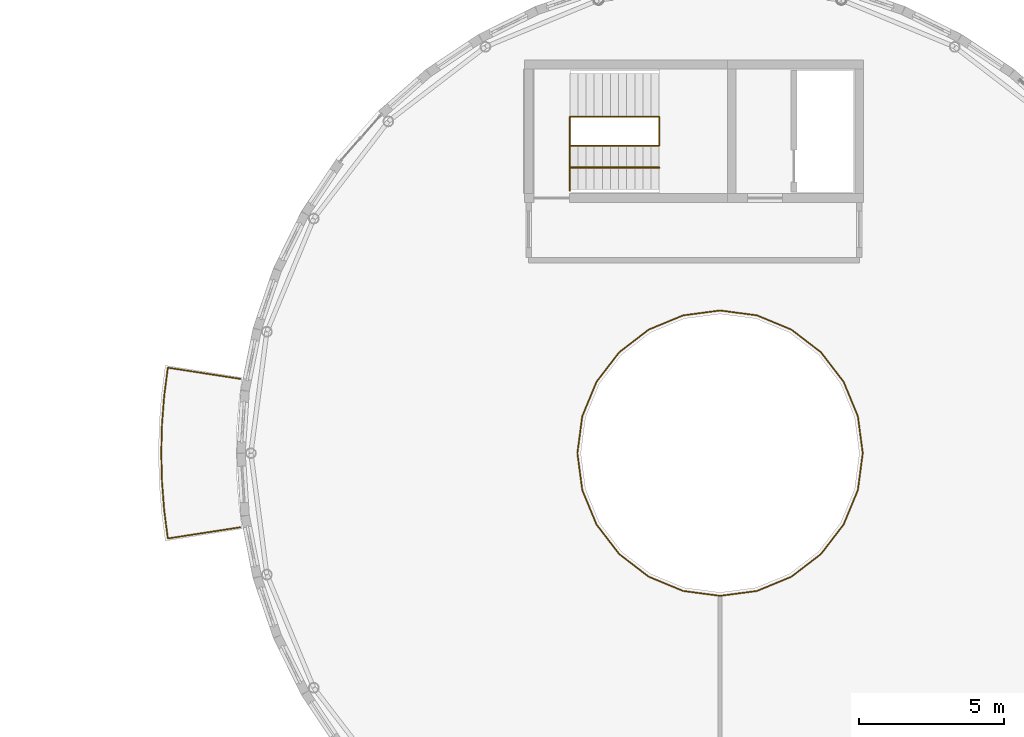
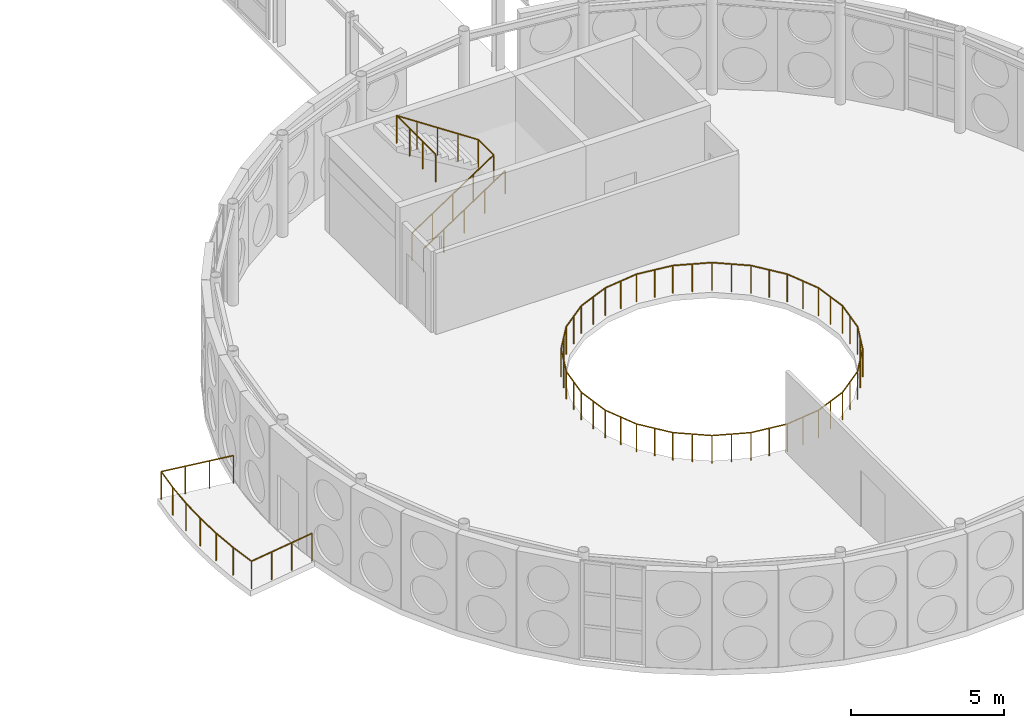
# One storey, part 155 of 165: 4 railings.
"""IFC4 building model written with IfcOpenShell, lengths in metres."""

from ifc_helpers import new_model, si_unit, direction, frame, origin, origin_2d, place, context, subcontext, project, spatial, circle, extrude, material, type_object, element, save


model = new_model("IFC4")

# Units and contexts
model_context = context("Model", 3, precision=1e-05, world=origin(), true_north=direction((0.0, 1.0)))
body_context = subcontext(model_context, "Body", "Model", "MODEL_VIEW")
ifc_project = project(units=[si_unit("LENGTHUNIT", "METRE"), si_unit("AREAUNIT", "SQUARE_METRE"), si_unit("VOLUMEUNIT", "CUBIC_METRE"), si_unit("PLANEANGLEUNIT", "RADIAN"), si_unit("MASSUNIT", "GRAM", prefix="KILO")], contexts=[model_context])

# Site, building, storey
site_placement = place(None, origin())
site = spatial("IfcSite", under=ifc_project, at=site_placement, CompositionType="ELEMENT")
building_placement = place(site_placement, origin())
building = spatial("IfcBuilding", under=site, at=building_placement, Name="Montecoro Central Library", CompositionType="ELEMENT")
storey_placement = place(building_placement, frame((0.0, 0.0, 5.10009765625)))
storey = spatial("IfcBuildingStorey", under=building, at=storey_placement, Name="L01", CompositionType="ELEMENT", Elevation=5.10009765625)

# Railings
ifc_material_1 = material(Name="Architectural bronze and laminated safety balustrade", Category="aluminium")
railing_type_1 = type_object("IfcRailingType", Name="GRD-EXT-110", PredefinedType="GUARDRAIL", material=ifc_material_1)
railing_1_placement = place(storey_placement, frame((75.056884765625, 37.9609375, 0.0)))
element("IfcRailing", 1, at=railing_1_placement, inside=storey, type_object=railing_type_1, Name="V1-L01-WTER-GRD", PredefinedType="GUARDRAIL", context=body_context, shape_type="SweptSolid", body=[
    extrude(circle(Radius=0.02392578125, at=origin_2d()), frame((0.0, 0.0, 1.09619140625), z_axis=(-0.988231820946, 0.152963616816, 0.0), x_axis=(-0.152963616816, -0.988231820946, 0.0)), (0.0, 0.0, 1.0), 2.52978515625),
    extrude(circle(Radius=0.02392578125, at=origin_2d()), frame((-2.5, 0.386962890625, 1.09619140625), z_axis=(-0.127908414791, -0.991785983681, 0.0), x_axis=(0.991785983681, -0.127908414791, 0.0)), (0.0, 0.0, 1.0), 0.98486328125),
    extrude(circle(Radius=0.02392578125, at=origin_2d()), frame((-2.6259765625, -0.58984375, 1.09619140625), z_axis=(-0.076999424801, -0.997031137217, 0.0), x_axis=(0.997031137217, -0.076999424801, 0.0)), (0.0, 0.0, 1.0), 0.986083984375),
    extrude(circle(Radius=0.02392578125, at=origin_2d()), frame((-2.701904296875, -1.572998046875, 1.09619140625), z_axis=(-0.025276997902, -0.999680485644, 0.0), x_axis=(0.999680485644, -0.025276997902, 0.0)), (0.0, 0.0, 1.0), 0.985107421875),
    extrude(circle(Radius=0.02392578125, at=origin_2d()), frame((-2.726806640625, -2.557861328125, 1.09619140625), z_axis=(0.025270737467, -0.99968064392, 0.0), x_axis=(0.99968064392, 0.025270737467, 0.0)), (0.0, 0.0, 1.0), 0.9853515625),
    extrude(circle(Radius=0.02392578125, at=origin_2d()), frame((-2.701904296875, -3.54296875, 1.09619140625), z_axis=(0.07610878979, -0.997099519665, 0.0), x_axis=(0.997099519665, 0.07610878979, 0.0)), (0.0, 0.0, 1.0), 0.98486328125),
    extrude(circle(Radius=0.02392578125, at=origin_2d()), frame((-2.626953125, -4.52490234375, 1.09619140625), z_axis=(0.127876976377, -0.991790037716, 0.0), x_axis=(0.991790037716, 0.127876976377, 0.0)), (0.0, 0.0, 1.0), 0.985107421875),
    extrude(circle(Radius=0.02392578125, at=origin_2d()), frame((-2.5009765625, -5.501953125, 1.09619140625), z_axis=(0.988290105827, 0.152586587628, 0.0), x_axis=(-0.152586587628, 0.988290105827, 0.0)), (0.0, 0.0, 1.0), 2.529541015625),
    extrude(circle(Radius=0.02099609375, at=origin_2d()), origin(), (0.0, 0.0, 1.0), 1.072021484375),
    extrude(circle(Radius=0.02099609375, at=origin_2d()), frame((-0.833251953125, 0.12890625, 0.0)), (0.0, 0.0, 1.0), 1.072021484375),
    extrude(circle(Radius=0.02099609375, at=origin_2d()), frame((-1.666748046875, 0.258056640625, 0.0)), (0.0, 0.0, 1.0), 1.072021484375),
    extrude(circle(Radius=0.02099609375, at=origin_2d()), frame((-2.5, 0.386962890625, 0.0)), (0.0, 0.0, 1.0), 1.072021484375),
    extrude(circle(Radius=0.02099609375, at=origin_2d()), frame((-2.6259765625, -0.58984375, 0.0)), (0.0, 0.0, 1.0), 1.072021484375),
    extrude(circle(Radius=0.02099609375, at=origin_2d()), frame((-2.701904296875, -1.572998046875, 0.0)), (0.0, 0.0, 1.0), 1.072021484375),
    extrude(circle(Radius=0.02099609375, at=origin_2d()), frame((-2.726806640625, -2.557861328125, 0.0)), (0.0, 0.0, 1.0), 1.072021484375),
    extrude(circle(Radius=0.02099609375, at=origin_2d()), frame((-2.701904296875, -3.54296875, 0.0)), (0.0, 0.0, 1.0), 1.072021484375),
    extrude(circle(Radius=0.02099609375, at=origin_2d()), frame((-2.626953125, -4.52490234375, 0.0)), (0.0, 0.0, 1.0), 1.072021484375),
    extrude(circle(Radius=0.02099609375, at=origin_2d()), frame((-2.5009765625, -5.501953125, 0.0)), (0.0, 0.0, 1.0), 1.072021484375),
    extrude(circle(Radius=0.02099609375, at=origin_2d()), frame((-1.667724609375, -5.373291015625, 0.0)), (0.0, 0.0, 1.0), 1.072021484375),
    extrude(circle(Radius=0.02099609375, at=origin_2d()), frame((-0.834228515625, -5.24462890625, 0.0)), (0.0, 0.0, 1.0), 1.072021484375),
    extrude(circle(Radius=0.02099609375, at=origin_2d()), frame((-0.0009765625, -5.115966796875, 0.0)), (0.0, 0.0, 1.0), 1.072021484375),
])
ifc_material_2 = material(Name="Brushed stainless steel and bronze balustrade", Category="steel")
railing_type_2 = type_object("IfcRailingType", Name="GRD-INT-110", PredefinedType="GUARDRAIL", material=ifc_material_2)
railing_2_placement = place(storey_placement, frame((86.419921875, 46.0, 0.0)))
element("IfcRailing", 2, at=railing_2_placement, inside=storey, type_object=railing_type_2, Name="C1-L01-STR-GRD", PredefinedType="GUARDRAIL", context=body_context, shape_type="SweptSolid", body=[
    extrude(circle(Radius=0.02392578125, at=origin_2d()), frame((0.0, 0.0, 1.09619140625), z_axis=(0.833744305047, 0.0, 0.552150734675), x_axis=(0.0, 1.0, 0.0)), (0.0, 0.0, 1.0), 3.6943359375),
    extrude(circle(Radius=0.02392578125, at=origin_2d()), frame((3.080078125, 0.0, 3.1357421875), z_axis=(0.0, 1.0, 0.0), x_axis=(-1.0, 0.0, 0.0)), (0.0, 0.0, 1.0), 1.0),
    extrude(circle(Radius=0.02392578125, at=origin_2d()), frame((3.080078125, 1.0, 3.1357421875), z_axis=(-0.833713881912, 0.0, 0.552196670677), x_axis=(0.0, -1.0, 0.0)), (0.0, 0.0, 1.0), 3.6943359375),
    extrude(circle(Radius=0.02392578125, at=origin_2d()), frame((0.0, 1.0, 5.17578125), z_axis=(0.0, -1.0, 0.0), x_axis=(1.0, 0.0, 0.0)), (0.0, 0.0, 1.0), 2.550048828125),
    extrude(circle(Radius=0.02099609375, at=origin_2d()), origin(), (0.0, 0.0, 1.0), 1.072021484375),
    extrude(circle(Radius=0.02099609375, at=origin_2d()), frame((0.77001953125, 0.0, 0.510009765625)), (0.0, 0.0, 1.0), 1.072021484375),
    extrude(circle(Radius=0.02099609375, at=origin_2d()), frame((1.5400390625, 0.0, 1.02001953125)), (0.0, 0.0, 1.0), 1.072021484375),
    extrude(circle(Radius=0.02099609375, at=origin_2d()), frame((2.31005859375, 0.0, 1.52978515625)), (0.0, 0.0, 1.0), 1.072021484375),
    extrude(circle(Radius=0.02099609375, at=origin_2d()), frame((3.080078125, 0.0, 2.039794921875)), (0.0, 0.0, 1.0), 1.072021484375),
    extrude(circle(Radius=0.02099609375, at=origin_2d()), frame((3.080078125, 1.0, 2.039794921875)), (0.0, 0.0, 1.0), 1.072021484375),
    extrude(circle(Radius=0.02099609375, at=origin_2d()), frame((2.31005859375, 1.0, 2.5498046875)), (0.0, 0.0, 1.0), 1.072021484375),
    extrude(circle(Radius=0.02099609375, at=origin_2d()), frame((1.5400390625, 1.0, 3.059814453125)), (0.0, 0.0, 1.0), 1.072021484375),
    extrude(circle(Radius=0.02099609375, at=origin_2d()), frame((0.77001953125, 1.0, 3.56982421875)), (0.0, 0.0, 1.0), 1.072021484375),
    extrude(circle(Radius=0.02099609375, at=origin_2d()), frame((0.0, 1.0, 4.079833984375)), (0.0, 0.0, 1.0), 1.072021484375),
    extrude(circle(Radius=0.02099609375, at=origin_2d()), frame((0.0, 0.14990234375, 4.079833984375)), (0.0, 0.0, 1.0), 1.072021484375),
    extrude(circle(Radius=0.02099609375, at=origin_2d()), frame((0.0, -0.699951171875, 4.079833984375)), (0.0, 0.0, 1.0), 1.072021484375),
    extrude(circle(Radius=0.02099609375, at=origin_2d()), frame((0.0, -1.550048828125, 4.079833984375)), (0.0, 0.0, 1.0), 1.072021484375),
])
railing_3_placement = place(storey_placement, frame((96.52001953125, 35.39990234375, 0.0)))
element("IfcRailing", 3, at=railing_3_placement, inside=storey, type_object=railing_type_2, Name="V1-L01-WELL-GRD", PredefinedType="GUARDRAIL", context=body_context, shape_type="SweptSolid", body=[
    extrude(circle(Radius=0.02392578125, at=origin_2d()), frame((0.0, 0.0, 1.09619140625), z_axis=(-0.130793825116, 0.991409590085, 0.0), x_axis=(-0.991409590085, -0.130793825116, 0.0)), (0.0, 0.0, 1.0), 1.2841796875),
    extrude(circle(Radius=0.02392578125, at=origin_2d()), frame((-0.16796875, 1.273193359375, 1.09619140625), z_axis=(-0.382211896014, 0.924074708314, 0.0), x_axis=(-0.924074708314, -0.382211896014, 0.0)), (0.0, 0.0, 1.0), 1.284423828125),
    extrude(circle(Radius=0.02392578125, at=origin_2d()), frame((-0.658935546875, 2.460205078125, 1.09619140625), z_axis=(-0.608874427528, 0.793266620691, 0.0), x_axis=(-0.793266620691, -0.608874427528, 0.0)), (0.0, 0.0, 1.0), 1.284423828125),
    extrude(circle(Radius=0.02392578125, at=origin_2d()), frame((-1.44091796875, 3.47900390625, 1.09619140625), z_axis=(-0.793337078322, 0.608782621434, 0.0), x_axis=(-0.608782621434, -0.793337078322, 0.0)), (0.0, 0.0, 1.0), 1.284423828125),
    extrude(circle(Radius=0.02392578125, at=origin_2d()), frame((-2.4599609375, 4.260986328125, 1.09619140625), z_axis=(-0.924007570987, 0.382374173761, 0.0), x_axis=(-0.382374173761, -0.924007570987, 0.0)), (0.0, 0.0, 1.0), 1.28466796875),
    extrude(circle(Radius=0.02392578125, at=origin_2d()), frame((-3.64697265625, 4.752197265625, 1.09619140625), z_axis=(-0.991406336995, 0.130818480984, 0.0), x_axis=(-0.130818480984, -0.991406336995, 0.0)), (0.0, 0.0, 1.0), 1.283935546875),
    extrude(circle(Radius=0.02392578125, at=origin_2d()), frame((-4.919921875, 4.920166015625, 1.09619140625), z_axis=(-0.991409590085, -0.130793825116, 0.0), x_axis=(0.130793825116, -0.991409590085, 0.0)), (0.0, 0.0, 1.0), 1.2841796875),
    extrude(circle(Radius=0.02392578125, at=origin_2d()), frame((-6.193115234375, 4.752197265625, 1.09619140625), z_axis=(-0.924007570987, -0.382374173761, 0.0), x_axis=(0.382374173761, -0.924007570987, 0.0)), (0.0, 0.0, 1.0), 1.28466796875),
    extrude(circle(Radius=0.02392578125, at=origin_2d()), frame((-7.380126953125, 4.260986328125, 1.09619140625), z_axis=(-0.793266620691, -0.608874427528, 0.0), x_axis=(0.608874427528, -0.793266620691, 0.0)), (0.0, 0.0, 1.0), 1.284423828125),
    extrude(circle(Radius=0.02392578125, at=origin_2d()), frame((-8.39892578125, 3.47900390625, 1.09619140625), z_axis=(-0.608874427528, -0.793266620691, 0.0), x_axis=(0.793266620691, -0.608874427528, 0.0)), (0.0, 0.0, 1.0), 1.284423828125),
    extrude(circle(Radius=0.02392578125, at=origin_2d()), frame((-9.180908203125, 2.460205078125, 1.09619140625), z_axis=(-0.382374173761, -0.924007570987, 0.0), x_axis=(0.924007570987, -0.382374173761, 0.0)), (0.0, 0.0, 1.0), 1.28466796875),
    extrude(circle(Radius=0.02392578125, at=origin_2d()), frame((-9.672119140625, 1.273193359375, 1.09619140625), z_axis=(-0.130793825116, -0.991409590085, 0.0), x_axis=(0.991409590085, -0.130793825116, 0.0)), (0.0, 0.0, 1.0), 1.2841796875),
    extrude(circle(Radius=0.02392578125, at=origin_2d()), frame((-9.840087890625, 0.0, 1.09619140625), z_axis=(0.130818480984, -0.991406336995, 0.0), x_axis=(0.991406336995, 0.130818480984, 0.0)), (0.0, 0.0, 1.0), 1.283935546875),
    extrude(circle(Radius=0.02392578125, at=origin_2d()), frame((-9.672119140625, -1.27294921875, 1.09619140625), z_axis=(0.382374173761, -0.924007570987, 0.0), x_axis=(0.924007570987, 0.382374173761, 0.0)), (0.0, 0.0, 1.0), 1.28466796875),
    extrude(circle(Radius=0.02392578125, at=origin_2d()), frame((-9.180908203125, -2.4599609375, 1.09619140625), z_axis=(0.608782621434, -0.793337078322, 0.0), x_axis=(0.793337078322, 0.608782621434, 0.0)), (0.0, 0.0, 1.0), 1.284423828125),
    extrude(circle(Radius=0.02392578125, at=origin_2d()), frame((-8.39892578125, -3.47900390625, 1.09619140625), z_axis=(0.793266620691, -0.608874427528, 0.0), x_axis=(0.608874427528, 0.793266620691, 0.0)), (0.0, 0.0, 1.0), 1.284423828125),
    extrude(circle(Radius=0.02392578125, at=origin_2d()), frame((-7.380126953125, -4.260986328125, 1.09619140625), z_axis=(0.924074708314, -0.382211896014, 0.0), x_axis=(0.382211896014, 0.924074708314, 0.0)), (0.0, 0.0, 1.0), 1.284423828125),
    extrude(circle(Radius=0.02392578125, at=origin_2d()), frame((-6.193115234375, -4.751953125, 1.09619140625), z_axis=(0.991409590085, -0.130793825116, 0.0), x_axis=(0.130793825116, 0.991409590085, 0.0)), (0.0, 0.0, 1.0), 1.2841796875),
    extrude(circle(Radius=0.02392578125, at=origin_2d()), frame((-4.919921875, -4.919921875, 1.09619140625), z_axis=(0.991406336995, 0.130818480984, 0.0), x_axis=(-0.130818480984, 0.991406336995, 0.0)), (0.0, 0.0, 1.0), 1.283935546875),
    extrude(circle(Radius=0.02392578125, at=origin_2d()), frame((-3.64697265625, -4.751953125, 1.09619140625), z_axis=(0.924074708314, 0.382211896014, 0.0), x_axis=(-0.382211896014, 0.924074708314, 0.0)), (0.0, 0.0, 1.0), 1.284423828125),
    extrude(circle(Radius=0.02392578125, at=origin_2d()), frame((-2.4599609375, -4.260986328125, 1.09619140625), z_axis=(0.793337078322, 0.608782621434, 0.0), x_axis=(-0.608782621434, 0.793337078322, 0.0)), (0.0, 0.0, 1.0), 1.284423828125),
    extrude(circle(Radius=0.02392578125, at=origin_2d()), frame((-1.44091796875, -3.47900390625, 1.09619140625), z_axis=(0.608782621434, 0.793337078322, 0.0), x_axis=(-0.793337078322, 0.608782621434, 0.0)), (0.0, 0.0, 1.0), 1.284423828125),
    extrude(circle(Radius=0.02392578125, at=origin_2d()), frame((-0.658935546875, -2.4599609375, 1.09619140625), z_axis=(0.382211896014, 0.924074708314, 0.0), x_axis=(-0.924074708314, 0.382211896014, 0.0)), (0.0, 0.0, 1.0), 1.284423828125),
    extrude(circle(Radius=0.02392578125, at=origin_2d()), frame((-0.16796875, -1.27294921875, 1.09619140625), z_axis=(0.130818480984, 0.991406336995, 0.0), x_axis=(-0.991406336995, 0.130818480984, 0.0)), (0.0, 0.0, 1.0), 1.283935546875),
    extrude(circle(Radius=0.02099609375, at=origin_2d()), origin(), (0.0, 0.0, 1.0), 1.072021484375),
    extrude(circle(Radius=0.02099609375, at=origin_2d()), frame((-0.083984375, 0.63671875, 0.0)), (0.0, 0.0, 1.0), 1.072021484375),
    extrude(circle(Radius=0.02099609375, at=origin_2d()), frame((-0.16796875, 1.273193359375, 0.0)), (0.0, 0.0, 1.0), 1.072021484375),
    extrude(circle(Radius=0.02099609375, at=origin_2d()), frame((-0.41357421875, 1.86669921875, 0.0)), (0.0, 0.0, 1.0), 1.072021484375),
    extrude(circle(Radius=0.02099609375, at=origin_2d()), frame((-0.658935546875, 2.460205078125, 0.0)), (0.0, 0.0, 1.0), 1.072021484375),
    extrude(circle(Radius=0.02099609375, at=origin_2d()), frame((-1.0498046875, 2.9697265625, 0.0)), (0.0, 0.0, 1.0), 1.072021484375),
    extrude(circle(Radius=0.02099609375, at=origin_2d()), frame((-1.44091796875, 3.47900390625, 0.0)), (0.0, 0.0, 1.0), 1.072021484375),
    extrude(circle(Radius=0.02099609375, at=origin_2d()), frame((-1.950439453125, 3.8701171875, 0.0)), (0.0, 0.0, 1.0), 1.072021484375),
    extrude(circle(Radius=0.02099609375, at=origin_2d()), frame((-2.4599609375, 4.260986328125, 0.0)), (0.0, 0.0, 1.0), 1.072021484375),
    extrude(circle(Radius=0.02099609375, at=origin_2d()), frame((-3.053466796875, 4.506591796875, 0.0)), (0.0, 0.0, 1.0), 1.072021484375),
    extrude(circle(Radius=0.02099609375, at=origin_2d()), frame((-3.64697265625, 4.752197265625, 0.0)), (0.0, 0.0, 1.0), 1.072021484375),
    extrude(circle(Radius=0.02099609375, at=origin_2d()), frame((-4.283447265625, 4.836181640625, 0.0)), (0.0, 0.0, 1.0), 1.072021484375),
    extrude(circle(Radius=0.02099609375, at=origin_2d()), frame((-4.919921875, 4.920166015625, 0.0)), (0.0, 0.0, 1.0), 1.072021484375),
    extrude(circle(Radius=0.02099609375, at=origin_2d()), frame((-5.556640625, 4.836181640625, 0.0)), (0.0, 0.0, 1.0), 1.072021484375),
    extrude(circle(Radius=0.02099609375, at=origin_2d()), frame((-6.193115234375, 4.752197265625, 0.0)), (0.0, 0.0, 1.0), 1.072021484375),
    extrude(circle(Radius=0.02099609375, at=origin_2d()), frame((-6.78662109375, 4.506591796875, 0.0)), (0.0, 0.0, 1.0), 1.072021484375),
    extrude(circle(Radius=0.02099609375, at=origin_2d()), frame((-7.380126953125, 4.260986328125, 0.0)), (0.0, 0.0, 1.0), 1.072021484375),
    extrude(circle(Radius=0.02099609375, at=origin_2d()), frame((-7.8896484375, 3.8701171875, 0.0)), (0.0, 0.0, 1.0), 1.072021484375),
    extrude(circle(Radius=0.02099609375, at=origin_2d()), frame((-8.39892578125, 3.47900390625, 0.0)), (0.0, 0.0, 1.0), 1.072021484375),
    extrude(circle(Radius=0.02099609375, at=origin_2d()), frame((-8.7900390625, 2.9697265625, 0.0)), (0.0, 0.0, 1.0), 1.072021484375),
    extrude(circle(Radius=0.02099609375, at=origin_2d()), frame((-9.180908203125, 2.460205078125, 0.0)), (0.0, 0.0, 1.0), 1.072021484375),
    extrude(circle(Radius=0.02099609375, at=origin_2d()), frame((-9.426513671875, 1.86669921875, 0.0)), (0.0, 0.0, 1.0), 1.072021484375),
    extrude(circle(Radius=0.02099609375, at=origin_2d()), frame((-9.672119140625, 1.273193359375, 0.0)), (0.0, 0.0, 1.0), 1.072021484375),
    extrude(circle(Radius=0.02099609375, at=origin_2d()), frame((-9.756103515625, 0.63671875, 0.0)), (0.0, 0.0, 1.0), 1.072021484375),
    extrude(circle(Radius=0.02099609375, at=origin_2d()), frame((-9.840087890625, 0.0, 0.0)), (0.0, 0.0, 1.0), 1.072021484375),
    extrude(circle(Radius=0.02099609375, at=origin_2d()), frame((-9.756103515625, -0.636474609375, 0.0)), (0.0, 0.0, 1.0), 1.072021484375),
    extrude(circle(Radius=0.02099609375, at=origin_2d()), frame((-9.672119140625, -1.27294921875, 0.0)), (0.0, 0.0, 1.0), 1.072021484375),
    extrude(circle(Radius=0.02099609375, at=origin_2d()), frame((-9.426513671875, -1.866455078125, 0.0)), (0.0, 0.0, 1.0), 1.072021484375),
    extrude(circle(Radius=0.02099609375, at=origin_2d()), frame((-9.180908203125, -2.4599609375, 0.0)), (0.0, 0.0, 1.0), 1.072021484375),
    extrude(circle(Radius=0.02099609375, at=origin_2d()), frame((-8.7900390625, -2.969482421875, 0.0)), (0.0, 0.0, 1.0), 1.072021484375),
    extrude(circle(Radius=0.02099609375, at=origin_2d()), frame((-8.39892578125, -3.47900390625, 0.0)), (0.0, 0.0, 1.0), 1.072021484375),
    extrude(circle(Radius=0.02099609375, at=origin_2d()), frame((-7.8896484375, -3.8701171875, 0.0)), (0.0, 0.0, 1.0), 1.072021484375),
    extrude(circle(Radius=0.02099609375, at=origin_2d()), frame((-7.380126953125, -4.260986328125, 0.0)), (0.0, 0.0, 1.0), 1.072021484375),
    extrude(circle(Radius=0.02099609375, at=origin_2d()), frame((-6.78662109375, -4.50634765625, 0.0)), (0.0, 0.0, 1.0), 1.072021484375),
    extrude(circle(Radius=0.02099609375, at=origin_2d()), frame((-6.193115234375, -4.751953125, 0.0)), (0.0, 0.0, 1.0), 1.072021484375),
    extrude(circle(Radius=0.02099609375, at=origin_2d()), frame((-5.556640625, -4.8359375, 0.0)), (0.0, 0.0, 1.0), 1.072021484375),
    extrude(circle(Radius=0.02099609375, at=origin_2d()), frame((-4.919921875, -4.919921875, 0.0)), (0.0, 0.0, 1.0), 1.072021484375),
    extrude(circle(Radius=0.02099609375, at=origin_2d()), frame((-4.283447265625, -4.8359375, 0.0)), (0.0, 0.0, 1.0), 1.072021484375),
    extrude(circle(Radius=0.02099609375, at=origin_2d()), frame((-3.64697265625, -4.751953125, 0.0)), (0.0, 0.0, 1.0), 1.072021484375),
    extrude(circle(Radius=0.02099609375, at=origin_2d()), frame((-3.053466796875, -4.50634765625, 0.0)), (0.0, 0.0, 1.0), 1.072021484375),
    extrude(circle(Radius=0.02099609375, at=origin_2d()), frame((-2.4599609375, -4.260986328125, 0.0)), (0.0, 0.0, 1.0), 1.072021484375),
    extrude(circle(Radius=0.02099609375, at=origin_2d()), frame((-1.950439453125, -3.8701171875, 0.0)), (0.0, 0.0, 1.0), 1.072021484375),
    extrude(circle(Radius=0.02099609375, at=origin_2d()), frame((-1.44091796875, -3.47900390625, 0.0)), (0.0, 0.0, 1.0), 1.072021484375),
    extrude(circle(Radius=0.02099609375, at=origin_2d()), frame((-1.0498046875, -2.969482421875, 0.0)), (0.0, 0.0, 1.0), 1.072021484375),
    extrude(circle(Radius=0.02099609375, at=origin_2d()), frame((-0.658935546875, -2.4599609375, 0.0)), (0.0, 0.0, 1.0), 1.072021484375),
    extrude(circle(Radius=0.02099609375, at=origin_2d()), frame((-0.41357421875, -1.866455078125, 0.0)), (0.0, 0.0, 1.0), 1.072021484375),
    extrude(circle(Radius=0.02099609375, at=origin_2d()), frame((-0.16796875, -1.27294921875, 0.0)), (0.0, 0.0, 1.0), 1.072021484375),
    extrude(circle(Radius=0.02099609375, at=origin_2d()), frame((-0.083984375, -0.636474609375, 0.0)), (0.0, 0.0, 1.0), 1.072021484375),
])
ifc_material_3 = material(Name="Brushed architectural bronze handrail")
railing_type_3 = type_object("IfcRailingType", Name="HRL-STR-095", PredefinedType="HANDRAIL", material=ifc_material_3)
railing_4_placement = place(storey_placement, frame((86.419921875, 45.25, 0.0)))
element("IfcRailing", 4, at=railing_4_placement, inside=storey, type_object=railing_type_3, Name="C1-L01-STR-HR1", PredefinedType="HANDRAIL", context=body_context, shape_type="SweptSolid", body=[
    extrude(circle(Radius=0.02392578125, at=origin_2d()), frame((0.0, 0.0, 0.92578125), z_axis=(0.833744305047, 0.0, 0.552150734675), x_axis=(0.0, 1.0, 0.0)), (0.0, 0.0, 1.0), 3.6943359375),
    extrude(circle(Radius=0.02099609375, at=origin_2d()), origin(), (0.0, 0.0, 1.0), 0.90185546875),
    extrude(circle(Radius=0.02099609375, at=origin_2d()), frame((0.77001953125, 0.0, 0.510009765625)), (0.0, 0.0, 1.0), 0.90185546875),
    extrude(circle(Radius=0.02099609375, at=origin_2d()), frame((1.5400390625, 0.0, 1.02001953125)), (0.0, 0.0, 1.0), 0.90185546875),
    extrude(circle(Radius=0.02099609375, at=origin_2d()), frame((2.31005859375, 0.0, 1.52978515625)), (0.0, 0.0, 1.0), 0.90185546875),
    extrude(circle(Radius=0.02099609375, at=origin_2d()), frame((3.080078125, 0.0, 2.039794921875)), (0.0, 0.0, 1.0), 0.90185546875),
])

save(model, "model.ifc")
